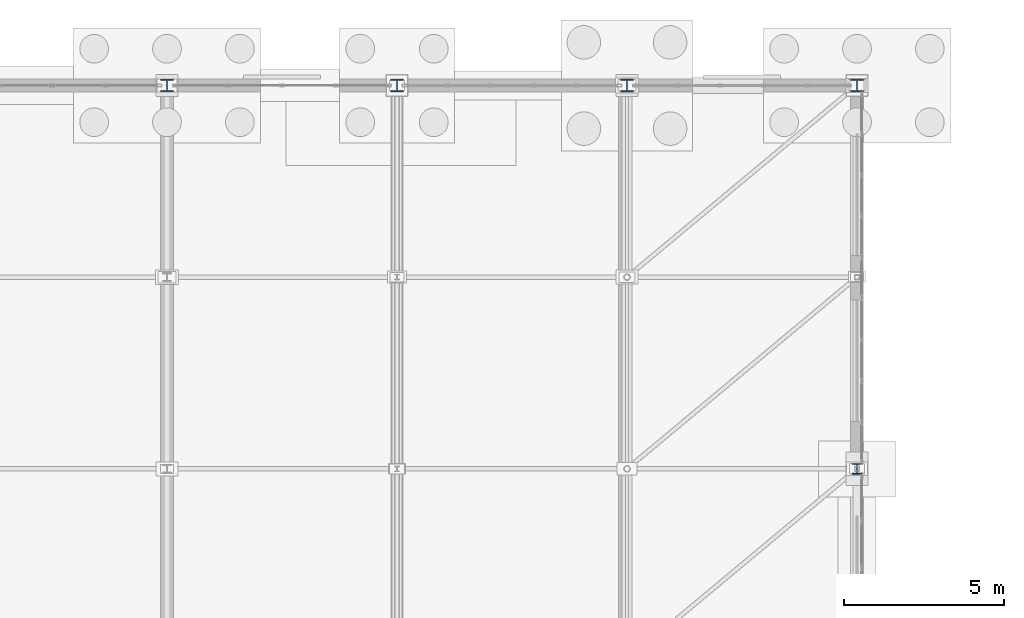
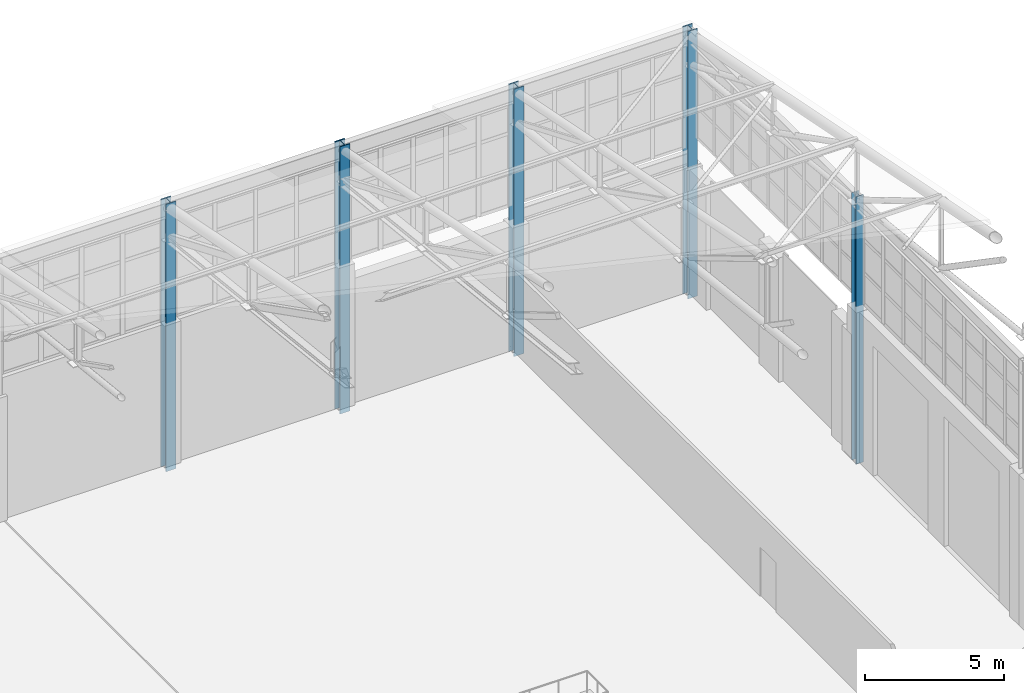
# One storey, part 38 of 293: 5 columns.
"""IFC4 building model written with IfcOpenShell, lengths in metres."""

from ifc_helpers import new_model, si_unit, direction, frame, origin, origin_2d, place, context, subcontext, project, spatial, i_section, extrude, material, material_profile, profile_set, type_object, element, save


model = new_model("IFC4")

# Units and contexts
model_context = context("Model", 3, precision=1e-05, world=origin(), true_north=direction((0.0, 1.0)))
body_context = subcontext(model_context, "Body", "Model", "MODEL_VIEW")
ifc_project = project(units=[si_unit("LENGTHUNIT", "METRE"), si_unit("AREAUNIT", "SQUARE_METRE"), si_unit("VOLUMEUNIT", "CUBIC_METRE"), si_unit("PLANEANGLEUNIT", "RADIAN"), si_unit("MASSUNIT", "GRAM", prefix="KILO")], contexts=[model_context])

# Site, building, storey
site_placement = place(None, origin())
site = spatial("IfcSite", under=ifc_project, at=site_placement, CompositionType="ELEMENT")
building_placement = place(site_placement, origin())
building = spatial("IfcBuilding", under=site, at=building_placement, Name="Kemerveld Promenade Tramway Depot", CompositionType="ELEMENT")
storey_placement = place(building_placement, origin())
storey = spatial("IfcBuildingStorey", under=building, at=storey_placement, Name="L00", CompositionType="ELEMENT", Elevation=0.0)

# Columns
ifc_material = material(Name="Steel S355", Category="steel")
ifc_material_profile_1 = material_profile(ifc_material, i_section(OverallWidth=0.403076171875, OverallDepth=0.406494140625, WebThickness=0.026611328125, FlangeThickness=0.04296875, FilletRadius=0.01513671875, at=origin_2d()), Name="356x406x340 UC")
ifc_profile_set_1 = profile_set([ifc_material_profile_1], Name="Steel S355")
column_type_1 = type_object("IfcColumnType", Name="COL-S01", PredefinedType="COLUMN", material=ifc_profile_set_1)
for number, where, z_axis, x_axis, name in (
    (1, (165.60009765625, 144.0, -0.300048828125), (0.0, 0.0, 1.0), (1.0, 0.0, 0.0), "COL-L00-24-U"),
    (2, (172.800048828125, 144.0, -0.300048828125), (0.0, 0.0, 1.0), (1.0, 0.0, 0.0), "COL-L00-25-U"),
    (3, (180.0, 144.0, -0.300048828125), (0.0, 0.0, 1.0), (1.0, 0.0, 0.0), "COL-L00-26-U"),
    (4, (187.199951171875, 144.0, -0.300048828125), (0.0, 0.0, 1.0), (1.0, 0.0, 0.0), "COL-L00-27-U"),
):
    element("IfcColumn", number, at=place(storey_placement, frame(where, z_axis=z_axis, x_axis=x_axis)), inside=storey, type_object=column_type_1, Name=name, PredefinedType="COLUMN", context=body_context, shape_type="SweptSolid", body=[
        extrude(i_section(OverallWidth=0.403076171875, OverallDepth=0.406494140625, WebThickness=0.026611328125, FlangeThickness=0.04296875, FilletRadius=0.01513671875, at=origin_2d()), origin(), (0.0, 0.0, 1.0), 11.699951171875),
    ])
ifc_material_profile_2 = material_profile(ifc_material, i_section(OverallWidth=0.311279296875, OverallDepth=0.3271484375, WebThickness=0.015869140625, FlangeThickness=0.02490234375, FilletRadius=0.01513671875, at=origin_2d()), Name="305x305x158 UC")
ifc_profile_set_2 = profile_set([ifc_material_profile_2], Name="Steel S355")
column_type_2 = type_object("IfcColumnType", Name="COL-S05", PredefinedType="COLUMN", material=ifc_profile_set_2)
column_placement = place(storey_placement, frame((187.199951171875, 132.0, -0.300048828125), z_axis=(0.0, 0.0, 1.0), x_axis=(1.0, 0.0, 0.0)))
element("IfcColumn", 5, at=column_placement, inside=storey, type_object=column_type_2, Name="COL-L00-27-S", PredefinedType="COLUMN", context=body_context, shape_type="SweptSolid", body=[
    extrude(i_section(OverallWidth=0.311279296875, OverallDepth=0.3271484375, WebThickness=0.015869140625, FlangeThickness=0.02490234375, FilletRadius=0.01513671875, at=origin_2d()), origin(), (0.0, 0.0, 1.0), 11.699951171875),
])

save(model, "model.ifc")
